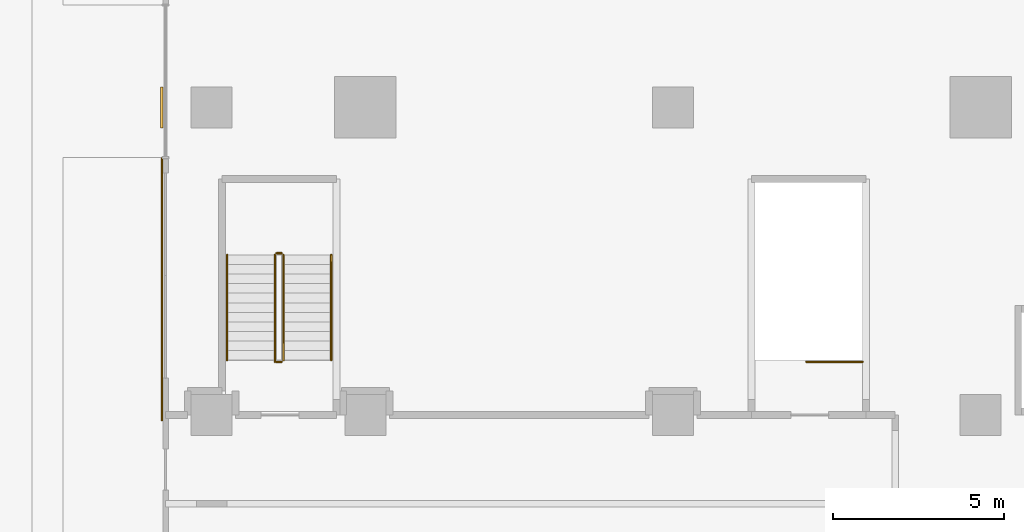
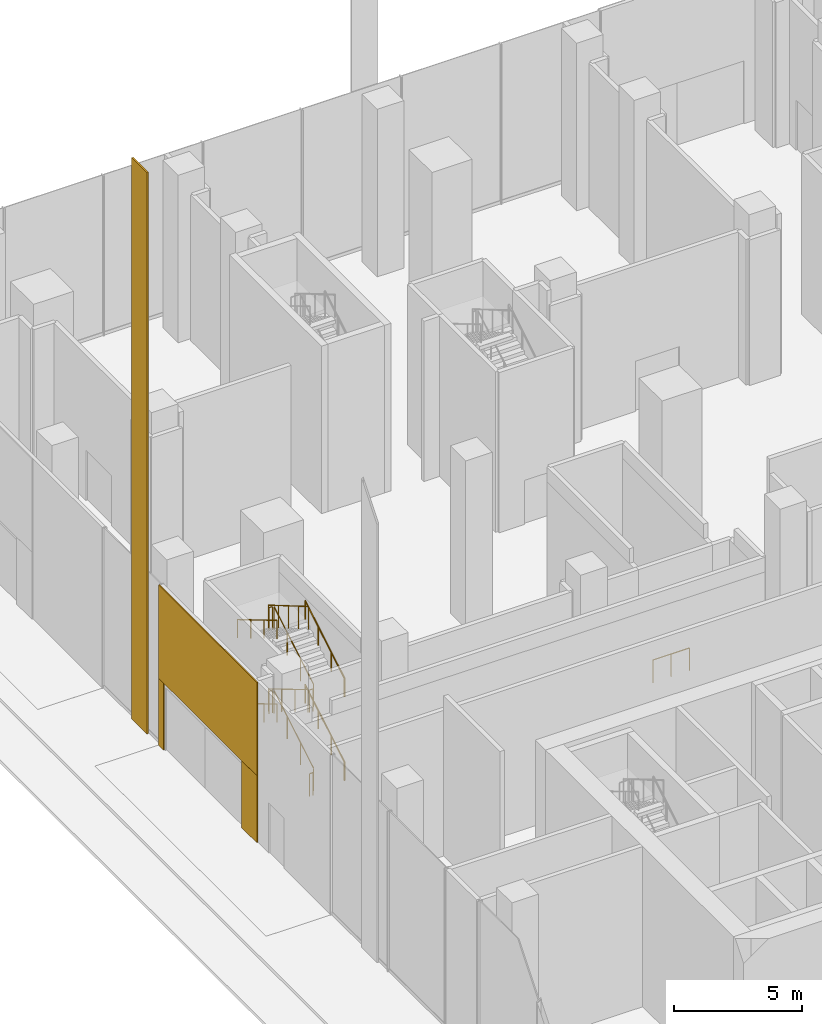
# One storey, part 32 of 42: 13 railings, 4 coverings.
"""IFC4 building model written with IfcOpenShell, lengths in metres."""

from ifc_helpers import new_model, si_unit, direction, frame, origin, origin_2d, place, context, subcontext, project, spatial, rectangle, circle, extrude, material, layer, layer_set, type_object, element, save


model = new_model("IFC4")

# Units and contexts
model_context = context("Model", 3, precision=1e-05, world=origin(), true_north=direction((0.0, 1.0)))
body_context = subcontext(model_context, "Body", "Model", "MODEL_VIEW")
ifc_project = project(units=[si_unit("LENGTHUNIT", "METRE"), si_unit("AREAUNIT", "SQUARE_METRE"), si_unit("VOLUMEUNIT", "CUBIC_METRE"), si_unit("PLANEANGLEUNIT", "RADIAN"), si_unit("MASSUNIT", "GRAM", prefix="KILO")], contexts=[model_context])

# Site, building, storey
site_placement = place(None, origin())
site = spatial("IfcSite", under=ifc_project, at=site_placement, CompositionType="ELEMENT")
building_placement = place(site_placement, origin())
building = spatial("IfcBuilding", under=site, at=building_placement, Name="Plateau Cross Towers", CompositionType="ELEMENT")
storey_placement = place(building_placement, origin())
storey = spatial("IfcBuildingStorey", under=building, at=storey_placement, Name="L00", CompositionType="ELEMENT", Elevation=0.0)

# Coverings
ifc_material_1 = material(Name="Aluminium composite cladding", Category="aluminium")
ifc_layer_1 = layer(ifc_material_1, 0.050048828125)
ifc_layer_set_1 = layer_set([ifc_layer_1], Name="Aluminium composite cladding")
covering_type_1 = type_object("IfcCoveringType", Name="Entrance surround board 50", PredefinedType="CLADDING", material=ifc_layer_set_1)
covering_1_placement = place(storey_placement, frame((-5.955078125, 30.67626953125, 3.2001953125), z_axis=(0.0, 0.0, 1.0), x_axis=(0.0, -1.0, 0.0)))
element("IfcCovering", 1, at=covering_1_placement, inside=storey, type_object=covering_type_1, Name="Entrance station-W1 head fascia", PredefinedType="CLADDING", context=body_context, shape_type="SweptSolid", body=[
    extrude(rectangle(XDim=7.697509765625, YDim=0.050048828125, at=origin_2d()), origin(), (0.0, 0.0, 1.0), 4.449951171875),
])
covering_2_placement = place(storey_placement, frame((-5.955078125, 34.326171875, 0.0), z_axis=(0.0, 0.0, 1.0), x_axis=(0.0, -1.0, 0.0)))
element("IfcCovering", 2, at=covering_2_placement, inside=storey, type_object=covering_type_1, Name="Entrance station-W1 pier", PredefinedType="CLADDING", context=body_context, shape_type="SweptSolid", body=[
    extrude(rectangle(XDim=0.3974609375, YDim=0.050048828125, at=origin_2d()), origin(), (0.0, 0.0, 1.0), 3.199951171875),
])
covering_3_placement = place(storey_placement, frame((-5.955078125, 27.427490234375, 0.0), z_axis=(0.0, 0.0, 1.0), x_axis=(0.0, -1.0, 0.0)))
element("IfcCovering", 3, at=covering_3_placement, inside=storey, type_object=covering_type_1, Name="Entrance station-W1 pier", PredefinedType="CLADDING", context=body_context, shape_type="SweptSolid", body=[
    extrude(rectangle(XDim=1.199951171875, YDim=0.050048828125, at=origin_2d()), origin(), (0.0, 0.0, 1.0), 3.199951171875),
])
ifc_layer_2 = layer(ifc_material_1, 0.070068359375)
ifc_layer_set_2 = layer_set([ifc_layer_2], Name="Aluminium composite cladding")
covering_type_2 = type_object("IfcCoveringType", Name="Podium pier cladding 1200", PredefinedType="CLADDING", material=ifc_layer_set_2)
covering_4_placement = place(storey_placement, frame((-5.9599609375, 36.0, 0.0), z_axis=(0.0, 0.0, 1.0), x_axis=(0.0, -1.0, 0.0)))
element("IfcCovering", 4, at=covering_4_placement, inside=storey, type_object=covering_type_2, Name="Podium pier W3", PredefinedType="CLADDING", context=body_context, shape_type="SweptSolid", body=[
    extrude(rectangle(XDim=1.199951171875, YDim=0.070068359375, at=origin_2d()), origin(), (0.0, 0.0, 1.0), 26.800048828125),
])

# Railings
ifc_material_2 = material(Name="Stainless steel and toughened glass", Category="steel")
railing_type_1 = type_object("IfcRailingType", Name="RL-GUARD-1100", PredefinedType="GUARDRAIL", material=ifc_material_2)
railing_1_placement = place(storey_placement, frame((14.550048828125, 28.550048828125, 0.0)))
element("IfcRailing", 5, at=railing_1_placement, inside=storey, type_object=railing_type_1, Name="L00 PB1 top well guard 1", PredefinedType="GUARDRAIL", context=body_context, shape_type="SweptSolid", body=[
    extrude(circle(Radius=0.02392578125, at=origin_2d()), frame((0.0, 0.0, 1.076171875), z_axis=(-1.0, 0.0, 0.0), x_axis=(0.0, -1.0, 0.0)), (0.0, 0.0, 1.0), 1.650146484375),
    extrude(circle(Radius=0.02099609375, at=origin_2d()), origin(), (0.0, 0.0, 1.0), 1.052001953125),
    extrude(circle(Radius=0.02099609375, at=origin_2d()), frame((-0.8251953125, 0.0, 0.0)), (0.0, 0.0, 1.0), 1.052001953125),
    extrude(circle(Radius=0.02099609375, at=origin_2d()), frame((-1.650146484375, 0.0, 0.0)), (0.0, 0.0, 1.0), 1.052001953125),
])
railing_2_placement = place(storey_placement, frame((-2.39990234375, 28.60009765625, 0.166748046875)))
element("IfcRailing", 6, at=railing_2_placement, inside=storey, type_object=railing_type_1, Name="L00 PS4 stair guard 1", PredefinedType="GUARDRAIL", context=body_context, shape_type="SweptSolid", body=[
    extrude(circle(Radius=0.02392578125, at=origin_2d()), frame((0.0, 0.0, 1.076171875), z_axis=(0.0, 0.859290745958, 0.51148745235), x_axis=(-1.0, 0.0, 0.0)), (0.0, 0.0, 1.0), 3.584228515625),
    extrude(circle(Radius=0.02099609375, at=origin_2d()), origin(), (0.0, 0.0, 1.0), 1.052001953125),
    extrude(circle(Radius=0.02099609375, at=origin_2d()), frame((0.0, 1.026611328125, 0.611083984375)), (0.0, 0.0, 1.0), 1.052001953125),
    extrude(circle(Radius=0.02099609375, at=origin_2d()), frame((0.0, 2.05322265625, 1.22216796875)), (0.0, 0.0, 1.0), 1.052001953125),
    extrude(circle(Radius=0.02099609375, at=origin_2d()), frame((0.0, 3.079833984375, 1.833251953125)), (0.0, 0.0, 1.0), 1.052001953125),
])
railing_3_placement = place(storey_placement, frame((-2.449951171875, 31.72998046875, 2.0)))
element("IfcRailing", 7, at=railing_3_placement, inside=storey, type_object=railing_type_1, Name="L00 PS4 stair guard 2", PredefinedType="GUARDRAIL", context=body_context, shape_type="SweptSolid", body=[
    extrude(circle(Radius=0.02392578125, at=origin_2d()), frame((0.0, 0.0, 1.076171875), z_axis=(-1.0, 0.0, 0.0), x_axis=(0.0, -1.0, 0.0)), (0.0, 0.0, 1.0), 0.150146484375),
    extrude(circle(Radius=0.02099609375, at=origin_2d()), origin(), (0.0, 0.0, 1.0), 1.052001953125),
    extrude(circle(Radius=0.02099609375, at=origin_2d()), frame((-0.150146484375, 0.0, 0.0)), (0.0, 0.0, 1.0), 1.052001953125),
])
railing_4_placement = place(storey_placement, frame((-2.64990234375, 31.679931640625, 2.166748046875)))
element("IfcRailing", 8, at=railing_4_placement, inside=storey, type_object=railing_type_1, Name="L00 PS4 stair guard 3", PredefinedType="GUARDRAIL", context=body_context, shape_type="SweptSolid", body=[
    extrude(circle(Radius=0.02392578125, at=origin_2d()), frame((0.0, 0.0, 1.076171875), z_axis=(0.0, -0.859290745958, 0.51148745235), x_axis=(1.0, 0.0, 0.0)), (0.0, 0.0, 1.0), 3.584228515625),
    extrude(circle(Radius=0.02099609375, at=origin_2d()), origin(), (0.0, 0.0, 1.0), 1.052001953125),
    extrude(circle(Radius=0.02099609375, at=origin_2d()), frame((0.0, -1.026611328125, 0.611083984375)), (0.0, 0.0, 1.0), 1.052001953125),
    extrude(circle(Radius=0.02099609375, at=origin_2d()), frame((0.0, -2.05322265625, 1.22216796875)), (0.0, 0.0, 1.0), 1.052001953125),
    extrude(circle(Radius=0.02099609375, at=origin_2d()), frame((0.0, -3.079833984375, 1.833251953125)), (0.0, 0.0, 1.0), 1.052001953125),
])
railing_5_placement = place(storey_placement, frame((-2.449951171875, 28.550048828125, 4.0)))
element("IfcRailing", 9, at=railing_5_placement, inside=storey, type_object=railing_type_1, Name="L00 PS4 stair guard 4", PredefinedType="GUARDRAIL", context=body_context, shape_type="SweptSolid", body=[
    extrude(circle(Radius=0.02392578125, at=origin_2d()), frame((0.0, 0.0, 1.076171875), z_axis=(-1.0, 0.0, 0.0), x_axis=(0.0, -1.0, 0.0)), (0.0, 0.0, 1.0), 0.150146484375),
    extrude(circle(Radius=0.02099609375, at=origin_2d()), origin(), (0.0, 0.0, 1.0), 1.052001953125),
    extrude(circle(Radius=0.02099609375, at=origin_2d()), frame((-0.150146484375, 0.0, 0.0)), (0.0, 0.0, 1.0), 1.052001953125),
])
railing_6_placement = place(storey_placement, frame((-2.39990234375, 28.60009765625, 4.166748046875)))
element("IfcRailing", 10, at=railing_6_placement, inside=storey, type_object=railing_type_1, Name="L00 PS4 stair guard 5", PredefinedType="GUARDRAIL", context=body_context, shape_type="SweptSolid", body=[
    extrude(circle(Radius=0.02392578125, at=origin_2d()), frame((0.0, 0.0, 1.076171875), z_axis=(0.0, 0.859290745958, 0.51148745235), x_axis=(-1.0, 0.0, 0.0)), (0.0, 0.0, 1.0), 3.584228515625),
    extrude(circle(Radius=0.02099609375, at=origin_2d()), origin(), (0.0, 0.0, 1.0), 1.052001953125),
    extrude(circle(Radius=0.02099609375, at=origin_2d()), frame((0.0, 1.026611328125, 0.611083984375)), (0.0, 0.0, 1.0), 1.052001953125),
    extrude(circle(Radius=0.02099609375, at=origin_2d()), frame((0.0, 2.05322265625, 1.22216796875)), (0.0, 0.0, 1.0), 1.052001953125),
    extrude(circle(Radius=0.02099609375, at=origin_2d()), frame((0.0, 3.079833984375, 1.833251953125)), (0.0, 0.0, 1.0), 1.052001953125),
])
railing_7_placement = place(storey_placement, frame((-2.449951171875, 31.72998046875, 6.0)))
element("IfcRailing", 11, at=railing_7_placement, inside=storey, type_object=railing_type_1, Name="L00 PS4 stair guard 6", PredefinedType="GUARDRAIL", context=body_context, shape_type="SweptSolid", body=[
    extrude(circle(Radius=0.02392578125, at=origin_2d()), frame((0.0, 0.0, 1.076171875), z_axis=(-1.0, 0.0, 0.0), x_axis=(0.0, -1.0, 0.0)), (0.0, 0.0, 1.0), 0.150146484375),
    extrude(circle(Radius=0.02099609375, at=origin_2d()), origin(), (0.0, 0.0, 1.0), 1.052001953125),
    extrude(circle(Radius=0.02099609375, at=origin_2d()), frame((-0.150146484375, 0.0, 0.0)), (0.0, 0.0, 1.0), 1.052001953125),
])
railing_8_placement = place(storey_placement, frame((-2.64990234375, 31.679931640625, 6.166748046875)))
element("IfcRailing", 12, at=railing_8_placement, inside=storey, type_object=railing_type_1, Name="L00 PS4 stair guard 7", PredefinedType="GUARDRAIL", context=body_context, shape_type="SweptSolid", body=[
    extrude(circle(Radius=0.02392578125, at=origin_2d()), frame((0.0, 0.0, 1.076171875), z_axis=(0.0, -0.862879167799, 0.505410270749), x_axis=(1.0, 0.0, 0.0)), (0.0, 0.0, 1.0), 3.627197265625),
    extrude(circle(Radius=0.02099609375, at=origin_2d()), origin(), (0.0, 0.0, 1.0), 1.052001953125),
    extrude(circle(Radius=0.02099609375, at=origin_2d()), frame((0.0, -0.782470703125, 0.458251953125)), (0.0, 0.0, 1.0), 1.052001953125),
    extrude(circle(Radius=0.02099609375, at=origin_2d()), frame((0.0, -1.56494140625, 0.91650390625)), (0.0, 0.0, 1.0), 1.052001953125),
    extrude(circle(Radius=0.02099609375, at=origin_2d()), frame((0.0, -2.347412109375, 1.375)), (0.0, 0.0, 1.0), 1.052001953125),
    extrude(circle(Radius=0.02099609375, at=origin_2d()), frame((0.0, -3.1298828125, 1.833251953125)), (0.0, 0.0, 1.0), 1.052001953125),
])
railing_9_placement = place(storey_placement, frame((-2.449951171875, 28.550048828125, 0.0)))
element("IfcRailing", 13, at=railing_9_placement, inside=storey, type_object=railing_type_1, Name="L00 PS4 stair guard 8", PredefinedType="GUARDRAIL", context=body_context, shape_type="SweptSolid", body=[
    extrude(circle(Radius=0.02392578125, at=origin_2d()), frame((0.0, 0.0, 1.076171875), z_axis=(-1.0, 0.0, 0.0), x_axis=(0.0, -1.0, 0.0)), (0.0, 0.0, 1.0), 0.150146484375),
    extrude(circle(Radius=0.02099609375, at=origin_2d()), origin(), (0.0, 0.0, 1.0), 1.052001953125),
    extrude(circle(Radius=0.02099609375, at=origin_2d()), frame((-0.150146484375, 0.0, 0.0)), (0.0, 0.0, 1.0), 1.052001953125),
])
ifc_material_3 = material(Name="Black anodised aluminium", Category="aluminium")
railing_type_2 = type_object("IfcRailingType", Name="RL-HANDRAIL-900", PredefinedType="HANDRAIL", material=ifc_material_3)
railing_10_placement = place(storey_placement, frame((-1.0, 28.60009765625, 0.166748046875)))
element("IfcRailing", 14, at=railing_10_placement, inside=storey, type_object=railing_type_2, Name="L00 PS4 stair handrail 1", PredefinedType="HANDRAIL", context=body_context, shape_type="SweptSolid", body=[
    extrude(circle(Radius=0.02392578125, at=origin_2d()), frame((0.0, 0.0, 0.8759765625), z_axis=(0.0, 0.859290745958, 0.51148745235), x_axis=(-1.0, 0.0, 0.0)), (0.0, 0.0, 1.0), 3.584228515625),
    extrude(circle(Radius=0.02099609375, at=origin_2d()), origin(), (0.0, 0.0, 1.0), 0.851806640625),
    extrude(circle(Radius=0.02099609375, at=origin_2d()), frame((0.0, 1.026611328125, 0.611083984375)), (0.0, 0.0, 1.0), 0.851806640625),
    extrude(circle(Radius=0.02099609375, at=origin_2d()), frame((0.0, 2.05322265625, 1.22216796875)), (0.0, 0.0, 1.0), 0.851806640625),
    extrude(circle(Radius=0.02099609375, at=origin_2d()), frame((0.0, 3.079833984375, 1.833251953125)), (0.0, 0.0, 1.0), 0.851806640625),
])
railing_11_placement = place(storey_placement, frame((-4.050048828125, 31.679931640625, 2.166748046875)))
element("IfcRailing", 15, at=railing_11_placement, inside=storey, type_object=railing_type_2, Name="L00 PS4 stair handrail 2", PredefinedType="HANDRAIL", context=body_context, shape_type="SweptSolid", body=[
    extrude(circle(Radius=0.02392578125, at=origin_2d()), frame((0.0, 0.0, 0.8759765625), z_axis=(0.0, -0.859290745958, 0.51148745235), x_axis=(1.0, 0.0, 0.0)), (0.0, 0.0, 1.0), 3.584228515625),
    extrude(circle(Radius=0.02099609375, at=origin_2d()), origin(), (0.0, 0.0, 1.0), 0.851806640625),
    extrude(circle(Radius=0.02099609375, at=origin_2d()), frame((0.0, -1.026611328125, 0.611083984375)), (0.0, 0.0, 1.0), 0.851806640625),
    extrude(circle(Radius=0.02099609375, at=origin_2d()), frame((0.0, -2.05322265625, 1.22216796875)), (0.0, 0.0, 1.0), 0.851806640625),
    extrude(circle(Radius=0.02099609375, at=origin_2d()), frame((0.0, -3.079833984375, 1.833251953125)), (0.0, 0.0, 1.0), 0.851806640625),
])
railing_12_placement = place(storey_placement, frame((-1.0, 28.60009765625, 4.166748046875)))
element("IfcRailing", 16, at=railing_12_placement, inside=storey, type_object=railing_type_2, Name="L00 PS4 stair handrail 3", PredefinedType="HANDRAIL", context=body_context, shape_type="SweptSolid", body=[
    extrude(circle(Radius=0.02392578125, at=origin_2d()), frame((0.0, 0.0, 0.8759765625), z_axis=(0.0, 0.859290745958, 0.51148745235), x_axis=(-1.0, 0.0, 0.0)), (0.0, 0.0, 1.0), 3.584228515625),
    extrude(circle(Radius=0.02099609375, at=origin_2d()), origin(), (0.0, 0.0, 1.0), 0.851806640625),
    extrude(circle(Radius=0.02099609375, at=origin_2d()), frame((0.0, 1.026611328125, 0.611083984375)), (0.0, 0.0, 1.0), 0.851806640625),
    extrude(circle(Radius=0.02099609375, at=origin_2d()), frame((0.0, 2.05322265625, 1.22216796875)), (0.0, 0.0, 1.0), 0.851806640625),
    extrude(circle(Radius=0.02099609375, at=origin_2d()), frame((0.0, 3.079833984375, 1.833251953125)), (0.0, 0.0, 1.0), 0.851806640625),
])
railing_13_placement = place(storey_placement, frame((-4.050048828125, 31.679931640625, 6.166748046875)))
element("IfcRailing", 17, at=railing_13_placement, inside=storey, type_object=railing_type_2, Name="L00 PS4 stair handrail 4", PredefinedType="HANDRAIL", context=body_context, shape_type="SweptSolid", body=[
    extrude(circle(Radius=0.02392578125, at=origin_2d()), frame((0.0, 0.0, 0.8759765625), z_axis=(0.0, -0.859290745958, 0.51148745235), x_axis=(1.0, 0.0, 0.0)), (0.0, 0.0, 1.0), 3.584228515625),
    extrude(circle(Radius=0.02099609375, at=origin_2d()), origin(), (0.0, 0.0, 1.0), 0.851806640625),
    extrude(circle(Radius=0.02099609375, at=origin_2d()), frame((0.0, -1.026611328125, 0.611083984375)), (0.0, 0.0, 1.0), 0.851806640625),
    extrude(circle(Radius=0.02099609375, at=origin_2d()), frame((0.0, -2.05322265625, 1.22216796875)), (0.0, 0.0, 1.0), 0.851806640625),
    extrude(circle(Radius=0.02099609375, at=origin_2d()), frame((0.0, -3.079833984375, 1.833251953125)), (0.0, 0.0, 1.0), 0.851806640625),
])

save(model, "model.ifc")
